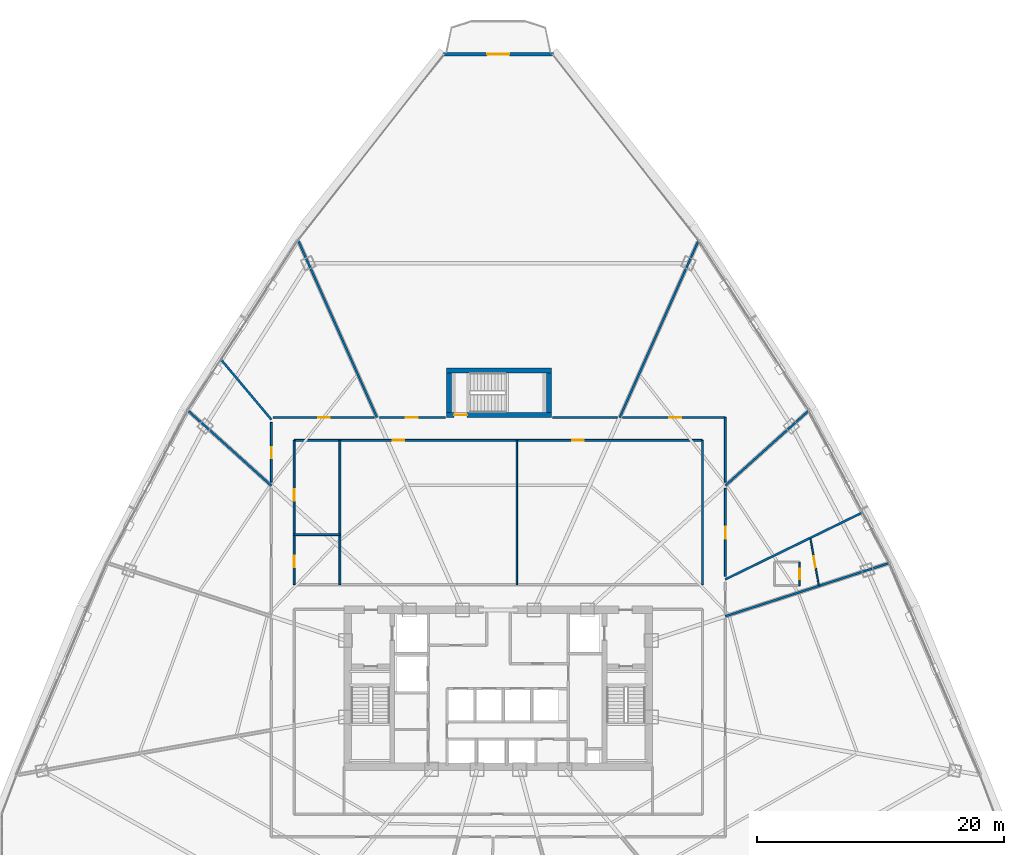
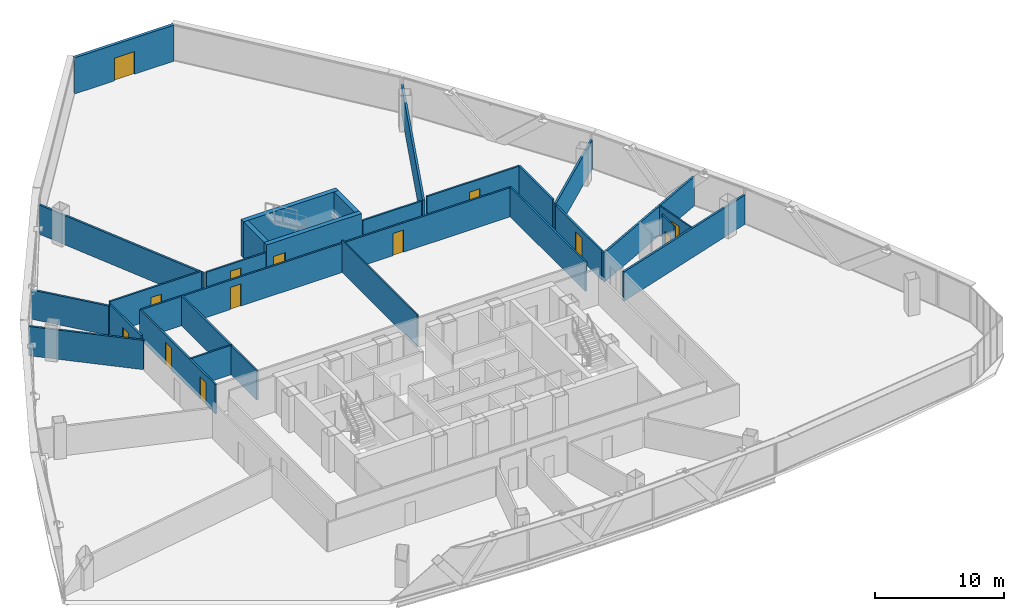
# One storey, part 37 of 42: 27 walls, 13 doors, 13 openings.
"""IFC4 building model written with IfcOpenShell, lengths in metres."""

from ifc_helpers import new_model, si_unit, direction, frame, frame_2d, origin, origin_with_axes, place, context, subcontext, project, spatial, rectangle, extrude, source, transform, mapped, material, layer, layer_set, type_object, element, fill, save


model = new_model("IFC4")

# Units and contexts
model_context = context("Model", 3, precision=1e-05, world=origin(), true_north=direction((0.0, 1.0)))
body_context = subcontext(model_context, "Body", "Model", "MODEL_VIEW")
ifc_project = project(units=[si_unit("LENGTHUNIT", "METRE"), si_unit("AREAUNIT", "SQUARE_METRE"), si_unit("VOLUMEUNIT", "CUBIC_METRE"), si_unit("PLANEANGLEUNIT", "RADIAN"), si_unit("MASSUNIT", "GRAM", prefix="KILO"), si_unit("THERMODYNAMICTEMPERATUREUNIT", "KELVIN"), si_unit("POWERUNIT", "WATT")], contexts=[model_context])

# Site, building, storey
site_placement = place(None, origin())
site = spatial("IfcSite", under=ifc_project, at=site_placement, CompositionType="ELEMENT")
building_placement = place(site_placement, origin())
building = spatial("IfcBuilding", under=site, at=building_placement, Name="Yunzhuo Pagoda Commons", CompositionType="ELEMENT")
storey_placement = place(building_placement, frame((0.0, 0.0, 137.18994140625)))
storey = spatial("IfcBuildingStorey", under=building, at=storey_placement, Name="L34", CompositionType="ELEMENT", Elevation=137.18994140625)

# Wall, opening, door
ifc_material_1 = material(Name="Precast concrete C40", Category="concrete")
ifc_layer_1 = layer(ifc_material_1, 0.260009765625)
ifc_layer_set_1 = layer_set([ifc_layer_1], Name="Precast concrete C40")
wall_type_1 = type_object("IfcWallType", Name="W-BAL1 Corner Balcony Threshold Wall 260", PredefinedType="STANDARD", material=ifc_layer_set_1)
wall_1_placement = place(storey_placement, frame((52.451416015625, 85.243408203125, 0.0), z_axis=(0.0, 0.0, 1.0), x_axis=(-1.0, 0.0, 0.0)))
wall_1 = element("IfcWall", 1, at=wall_1_placement, inside=storey, type_object=wall_type_1, Name="L34 corner balcony wall V3", PredefinedType="STANDARD", context=body_context, shape_type="SweptSolid", body=[
    extrude(rectangle(XDim=8.90283203125, YDim=0.260009765625, at=frame_2d((4.451416015625, 0.0))), origin(), (0.0, 0.0, 1.0), 3.420166015625),
])
opening_1_placement = place(wall_1_placement, frame((3.55126953125, 0.0, 0.0)))
opening_1 = element("IfcOpeningElement", 2, at=opening_1_placement, cuts=wall_1, Name="Opening D-BAL1", PredefinedType="OPENING", context=body_context, shape_type="SweptSolid", body=[
    extrude(rectangle(XDim=1.800048828125, YDim=2.14990234375, at=frame_2d((0.89990234375, 1.074951171875))), frame((0.0, 0.14013671875, 0.0), z_axis=(0.0, -1.0, 0.0), x_axis=(1.0, 0.0, 0.0)), (0.0, 0.0, 1.0), 0.280029296875),
])
ifc_material_2 = material(Name="Anodized aluminium frame and tempered glazed leaf", Category="aluminium")
door_type_1 = type_object("IfcDoorType", Name="D-BAL1 Corner Balcony Sliding Glazed Door 1800x2150", OperationType="DOUBLE_DOOR_SLIDING", PredefinedType="DOOR", material=ifc_material_2)
shared_shape_1 = source(origin(), body_context, "Body", "SweptSolid", [
    extrude(rectangle(XDim=1.800048828125, YDim=2.14990234375, at=frame_2d((0.89990234375, 1.074951171875))), frame((0.0, 0.02490234375, 0.0), z_axis=(0.0, -1.0, 0.0), x_axis=(1.0, 0.0, 0.0)), (0.0, 0.0, 1.0), 0.050048828125),
])
door_1_placement = place(opening_1_placement, origin_with_axes())
door_1 = element("IfcDoor", 3, at=door_1_placement, inside=storey, type_object=door_type_1, Name="L34 corner balcony sliding door V3", OperationType="DOUBLE_DOOR_SLIDING", OverallHeight=2.14990234375, OverallWidth=1.800048828125, PredefinedType="DOOR", context=body_context, shape_type="MappedRepresentation", body=[
    mapped(shared_shape_1, transform((0.0, 0.0, 0.0), scale=1.0)),
])
fill(opening_1, door_1)

# Wall, openings, doors
ifc_material_3 = material(Name="Gypsum plasterboard on acoustic stud")
ifc_layer_2 = layer(ifc_material_3, 0.155029296875)
ifc_layer_set_2 = layer_set([ifc_layer_2], Name="Gypsum plasterboard on acoustic stud")
wall_type_2 = type_object("IfcWallType", Name="W-COR2 Mid-Zone Rated Corridor Wall 155", PredefinedType="PARTITIONING", material=ifc_layer_set_2)
wall_2_placement = place(storey_placement, frame((31.449951171875, 53.949951171875, 0.0), z_axis=(0.0, 0.0, 1.0), x_axis=(1.0, 0.0, 0.0)))
wall_2 = element("IfcWall", 4, at=wall_2_placement, inside=storey, type_object=wall_type_2, Name="L34 interior wall IW-L34-MCNN", PredefinedType="PARTITIONING", context=body_context, shape_type="SweptSolid", body=[
    extrude(rectangle(XDim=33.10009765625, YDim=0.155029296875, at=frame_2d((16.550048828125, 0.0))), origin(), (0.0, 0.0, 1.0), 2.77001953125),
])
opening_2_placement = place(wall_2_placement, frame((8.0, 0.0, 0.0)))
opening_2 = element("IfcOpeningElement", 5, at=opening_2_placement, cuts=wall_2, Name="Opening D-04", PredefinedType="OPENING", context=body_context, shape_type="SweptSolid", body=[
    extrude(rectangle(XDim=0.919921875, YDim=2.10009765625, at=frame_2d((0.4599609375, 1.050048828125))), frame((0.0, 0.08740234375, 0.0), z_axis=(0.0, -1.0, 0.0), x_axis=(1.0, 0.0, 0.0)), (0.0, 0.0, 1.0), 0.175048828125),
])
opening_3_placement = place(wall_2_placement, frame((22.550048828125, 0.0, 0.0)))
opening_3 = element("IfcOpeningElement", 6, at=opening_3_placement, cuts=wall_2, Name="Opening D-04", PredefinedType="OPENING", context=body_context, shape_type="SweptSolid", body=[
    extrude(rectangle(XDim=0.919921875, YDim=2.10009765625, at=frame_2d((0.4599609375, 1.050048828125))), frame((0.0, 0.08740234375, 0.0), z_axis=(0.0, -1.0, 0.0), x_axis=(1.0, 0.0, 0.0)), (0.0, 0.0, 1.0), 0.175048828125),
])
ifc_material_4 = material(Name="Powder-coated aluminium and timber acoustic leaf", Category="wood")
door_type_2 = type_object("IfcDoorType", Name="D-04 Bedroom & Study Interior Door 920x2100", OperationType="NOTDEFINED", PredefinedType="DOOR", material=ifc_material_4)
shared_shape_2 = source(origin(), body_context, "Body", "SweptSolid", [
    extrude(rectangle(XDim=0.919921875, YDim=2.10009765625, at=frame_2d((0.4599609375, 1.050048828125))), frame((0.0, 0.02490234375, 0.0), z_axis=(0.0, -1.0, 0.0), x_axis=(1.0, 0.0, 0.0)), (0.0, 0.0, 1.0), 0.050048828125),
])
door_2_placement = place(opening_2_placement, origin_with_axes())
door_2 = element("IfcDoor", 7, at=door_2_placement, inside=storey, type_object=door_type_2, Name="L34 reading commons door", OperationType="SINGLE_SWING_LEFT", OverallHeight=2.10009765625, OverallWidth=0.919921875, PredefinedType="DOOR", context=body_context, shape_type="MappedRepresentation", body=[
    mapped(shared_shape_2, transform((0.0, 0.0, 0.0), scale=1.0)),
])
fill(opening_2, door_2)
door_3_placement = place(opening_3_placement, origin_with_axes())
door_3 = element("IfcDoor", 8, at=door_3_placement, inside=storey, type_object=door_type_2, Name="L34 seminar commons door", OperationType="SINGLE_SWING_RIGHT", OverallHeight=2.10009765625, OverallWidth=0.919921875, PredefinedType="DOOR", context=body_context, shape_type="MappedRepresentation", body=[
    mapped(shared_shape_2, transform((0.0, 0.0, 0.0), scale=1.0)),
])
fill(opening_3, door_3)

wall_3_placement = place(storey_placement, frame((31.449951171875, 42.25, 0.0), z_axis=(0.0, 0.0, 1.0), x_axis=(0.0, 1.0, 0.0)))
wall_3 = element("IfcWall", 9, at=wall_3_placement, inside=storey, type_object=wall_type_2, Name="L34 interior wall IW-L34-MCNW", PredefinedType="PARTITIONING", context=body_context, shape_type="SweptSolid", body=[
    extrude(rectangle(XDim=11.699951171875, YDim=0.155029296875, at=frame_2d((5.85009765625, 0.0))), origin(), (0.0, 0.0, 1.0), 2.77001953125),
])
opening_4_placement = place(wall_3_placement, frame((1.39990234375, 0.0, 0.0)))
opening_4 = element("IfcOpeningElement", 10, at=opening_4_placement, cuts=wall_3, Name="Opening D-11", PredefinedType="OPENING", context=body_context, shape_type="SweptSolid", body=[
    extrude(rectangle(XDim=0.93994140625, YDim=2.10009765625, at=frame_2d((0.469970703125, 1.050048828125))), frame((0.0, 0.08740234375, 0.0), z_axis=(0.0, -1.0, 0.0), x_axis=(1.0, 0.0, 0.0)), (0.0, 0.0, 1.0), 0.175048828125),
])
opening_5_placement = place(wall_3_placement, frame((6.800048828125, 0.0, 0.0)))
opening_5 = element("IfcOpeningElement", 11, at=opening_5_placement, cuts=wall_3, Name="Opening D-04", PredefinedType="OPENING", context=body_context, shape_type="SweptSolid", body=[
    extrude(rectangle(XDim=0.919921875, YDim=2.10009765625, at=frame_2d((0.4599609375, 1.050048828125))), frame((0.0, 0.08740234375, 0.0), z_axis=(0.0, -1.0, 0.0), x_axis=(1.0, 0.0, 0.0)), (0.0, 0.0, 1.0), 0.175048828125),
])
ifc_material_5 = material(Name="Galvanized fire-resisting metal leaf")
door_type_3 = type_object("IfcDoorType", Name="D-11 Accessible Washroom Fire Door 940x2100", OperationType="NOTDEFINED", PredefinedType="DOOR", material=ifc_material_5)
shared_shape_3 = source(origin(), body_context, "Body", "SweptSolid", [
    extrude(rectangle(XDim=0.93994140625, YDim=2.10009765625, at=frame_2d((0.469970703125, 1.050048828125))), frame((0.0, 0.02490234375, 0.0), z_axis=(0.0, -1.0, 0.0), x_axis=(1.0, 0.0, 0.0)), (0.0, 0.0, 1.0), 0.050048828125),
])
door_4_placement = place(opening_4_placement, origin_with_axes())
door_4 = element("IfcDoor", 12, at=door_4_placement, inside=storey, type_object=door_type_3, Name="L34 accessible WC door", OperationType="SINGLE_SWING_LEFT", OverallHeight=2.10009765625, OverallWidth=0.93994140625, PredefinedType="DOOR", context=body_context, shape_type="MappedRepresentation", body=[
    mapped(shared_shape_3, transform((0.0, 0.0, 0.0), scale=1.0)),
])
fill(opening_4, door_4)
door_5_placement = place(opening_5_placement, origin_with_axes())
door_5 = element("IfcDoor", 13, at=door_5_placement, inside=storey, type_object=door_type_2, Name="L34 laundry door", OperationType="SINGLE_SWING_RIGHT", OverallHeight=2.10009765625, OverallWidth=0.919921875, PredefinedType="DOOR", context=body_context, shape_type="MappedRepresentation", body=[
    mapped(shared_shape_2, transform((0.0, 0.0, 0.0), scale=1.0)),
])
fill(opening_5, door_5)

# Walls
for number, where, z_axis, x_axis, name in (
    (14, (64.550048828125, 42.25, 0.0), (0.0, 0.0, 1.0), (0.0, 1.0, 0.0), "L34 interior wall IW-L34-MCNE"),
    (15, (35.14990234375, 42.25, 0.0), (0.0, 0.0, 1.0), (0.0, 1.0, 0.0), "L34 interior wall IW-L34-MCWCE"),
):
    element("IfcWall", number, at=place(storey_placement, frame(where, z_axis=z_axis, x_axis=x_axis)), inside=storey, type_object=wall_type_2, Name=name, PredefinedType="PARTITIONING", context=body_context, shape_type="SweptSolid", body=[
        extrude(rectangle(XDim=11.699951171875, YDim=0.155029296875, at=frame_2d((5.85009765625, 0.0))), origin(), (0.0, 0.0, 1.0), 2.77001953125),
    ])
wall_4_placement = place(storey_placement, frame((31.449951171875, 46.300048828125, 0.0), z_axis=(0.0, 0.0, 1.0), x_axis=(1.0, 0.0, 0.0)))
element("IfcWall", 16, at=wall_4_placement, inside=storey, type_object=wall_type_2, Name="L34 interior wall IW-L34-MCWCN", PredefinedType="PARTITIONING", context=body_context, shape_type="SweptSolid", body=[
    extrude(rectangle(XDim=3.699951171875, YDim=0.155029296875, at=frame_2d((1.85009765625, 0.0))), origin(), (0.0, 0.0, 1.0), 2.77001953125),
])

# Wall, opening, door
wall_5_placement = place(storey_placement, frame((29.60009765625, 50.5634765625, 0.0), z_axis=(0.0, 0.0, 1.0), x_axis=(0.0, 1.0, 0.0)))
wall_5 = element("IfcWall", 17, at=wall_5_placement, inside=storey, type_object=wall_type_2, Name="L34 interior wall IW-L34-CWL04", PredefinedType="PARTITIONING", context=body_context, shape_type="SweptSolid", body=[
    extrude(rectangle(XDim=4.844970703125, YDim=0.155029296875, at=frame_2d((2.42236328125, 0.0))), origin(), (0.0, 0.0, 1.0), 3.02001953125),
])
opening_6_placement = place(wall_5_placement, frame((1.924560546875, 0.0, 0.0)))
opening_6 = element("IfcOpeningElement", 18, at=opening_6_placement, cuts=wall_5, Name="Opening D-12", PredefinedType="OPENING", context=body_context, shape_type="SweptSolid", body=[
    extrude(rectangle(XDim=0.89990234375, YDim=2.080078125, at=frame_2d((0.449951171875, 1.0400390625))), frame((0.0, 0.08740234375, 0.0), z_axis=(0.0, -1.0, 0.0), x_axis=(1.0, 0.0, 0.0)), (0.0, 0.0, 1.0), 0.175048828125),
])
door_type_4 = type_object("IfcDoorType", Name="D-12 Quiet Study Interior Door 900x2080", OperationType="NOTDEFINED", PredefinedType="DOOR", material=ifc_material_4)
shared_shape_4 = source(origin(), body_context, "Body", "SweptSolid", [
    extrude(rectangle(XDim=0.89990234375, YDim=2.080078125, at=frame_2d((0.449951171875, 1.0400390625))), frame((0.0, 0.02490234375, 0.0), z_axis=(0.0, -1.0, 0.0), x_axis=(1.0, 0.0, 0.0)), (0.0, 0.0, 1.0), 0.050048828125),
])
door_6_placement = place(opening_6_placement, origin_with_axes())
door_6 = element("IfcDoor", 19, at=door_6_placement, inside=storey, type_object=door_type_4, Name="L34 study lounge 06 door", OperationType="SINGLE_SWING_RIGHT", OverallHeight=2.080078125, OverallWidth=0.89990234375, PredefinedType="DOOR", context=body_context, shape_type="MappedRepresentation", body=[
    mapped(shared_shape_4, transform((0.0, 0.0, 0.0), scale=1.0)),
])
fill(opening_6, door_6)

wall_6_placement = place(storey_placement, frame((29.7431640625, 55.800048828125, 0.0), z_axis=(0.0, 0.0, 1.0), x_axis=(1.0, 0.0, 0.0)))
wall_6 = element("IfcWall", 20, at=wall_6_placement, inside=storey, type_object=wall_type_2, Name="L34 interior wall IW-L34-CWL05", PredefinedType="PARTITIONING", context=body_context, shape_type="SweptSolid", body=[
    extrude(rectangle(XDim=8.176513671875, YDim=0.155029296875, at=frame_2d((4.08837890625, 0.0))), origin(), (0.0, 0.0, 1.0), 3.02001953125),
])
opening_7_placement = place(wall_6_placement, frame((3.6455078125, 0.0, 0.0)))
opening_7 = element("IfcOpeningElement", 21, at=opening_7_placement, cuts=wall_6, Name="Opening D-07", PredefinedType="OPENING", context=body_context, shape_type="SweptSolid", body=[
    extrude(rectangle(XDim=0.9599609375, YDim=2.1201171875, at=frame_2d((0.47998046875, 1.06005859375))), frame((0.0, 0.08740234375, 0.0), z_axis=(0.0, -1.0, 0.0), x_axis=(1.0, 0.0, 0.0)), (0.0, 0.0, 1.0), 0.175048828125),
])
door_type_5 = type_object("IfcDoorType", Name="D-07 Mid-Zone Suite Entrance Fire Door 960x2120", OperationType="NOTDEFINED", PredefinedType="DOOR", material=ifc_material_5)
shared_shape_5 = source(origin(), body_context, "Body", "SweptSolid", [
    extrude(rectangle(XDim=0.9599609375, YDim=2.1201171875, at=frame_2d((0.47998046875, 1.06005859375))), frame((0.0, 0.02490234375, 0.0), z_axis=(0.0, -1.0, 0.0), x_axis=(1.0, 0.0, 0.0)), (0.0, 0.0, 1.0), 0.050048828125),
])
door_7_placement = place(opening_7_placement, origin_with_axes())
door_7 = element("IfcDoor", 22, at=door_7_placement, inside=storey, type_object=door_type_5, Name="L34 unit 05 entrance door", OperationType="SINGLE_SWING_LEFT", OverallHeight=2.1201171875, OverallWidth=0.9599609375, PredefinedType="DOOR", context=body_context, shape_type="MappedRepresentation", body=[
    mapped(shared_shape_5, transform((0.0, 0.0, 0.0), scale=1.0)),
])
fill(opening_7, door_7)

wall_7_placement = place(storey_placement, frame((38.380126953125, 55.800048828125, 0.0), z_axis=(0.0, 0.0, 1.0), x_axis=(1.0, 0.0, 0.0)))
wall_7 = element("IfcWall", 23, at=wall_7_placement, inside=storey, type_object=wall_type_2, Name="L34 interior wall IW-L34-CWL06", PredefinedType="PARTITIONING", context=body_context, shape_type="SweptSolid", body=[
    extrude(rectangle(XDim=5.328857421875, YDim=0.155029296875, at=frame_2d((2.66455078125, 0.0))), origin(), (0.0, 0.0, 1.0), 2.77001953125),
])
opening_8_placement = place(wall_7_placement, frame((2.114990234375, 0.0, 0.0)))
opening_8 = element("IfcOpeningElement", 24, at=opening_8_placement, cuts=wall_7, Name="Opening D-07", PredefinedType="OPENING", context=body_context, shape_type="SweptSolid", body=[
    extrude(rectangle(XDim=0.9599609375, YDim=2.1201171875, at=frame_2d((0.47998046875, 1.06005859375))), frame((0.0, 0.08740234375, 0.0), z_axis=(0.0, -1.0, 0.0), x_axis=(1.0, 0.0, 0.0)), (0.0, 0.0, 1.0), 0.175048828125),
])
door_8_placement = place(opening_8_placement, origin_with_axes())
door_8 = element("IfcDoor", 25, at=door_8_placement, inside=storey, type_object=door_type_5, Name="L34 unit 04 entrance door", OperationType="SINGLE_SWING_RIGHT", OverallHeight=2.1201171875, OverallWidth=0.9599609375, PredefinedType="DOOR", context=body_context, shape_type="MappedRepresentation", body=[
    mapped(shared_shape_5, transform((0.0, 0.0, 0.0), scale=1.0)),
])
fill(opening_8, door_8)

# Wall
wall_8_placement = place(storey_placement, frame((52.39111328125, 55.800048828125, 0.0), z_axis=(0.0, 0.0, 1.0), x_axis=(1.0, 0.0, 0.0)))
element("IfcWall", 26, at=wall_8_placement, inside=storey, type_object=wall_type_2, Name="L34 interior wall IW-L34-CWL07", PredefinedType="PARTITIONING", context=body_context, shape_type="SweptSolid", body=[
    extrude(rectangle(XDim=5.228759765625, YDim=0.155029296875, at=frame_2d((2.6142578125, 0.0))), origin(), (0.0, 0.0, 1.0), 2.77001953125),
])

# Wall, opening, door
wall_9_placement = place(storey_placement, frame((58.080322265625, 55.800048828125, 0.0), z_axis=(0.0, 0.0, 1.0), x_axis=(1.0, 0.0, 0.0)))
wall_9 = element("IfcWall", 27, at=wall_9_placement, inside=storey, type_object=wall_type_2, Name="L34 interior wall IW-L34-CWL08", PredefinedType="PARTITIONING", context=body_context, shape_type="SweptSolid", body=[
    extrude(rectangle(XDim=8.319580078125, YDim=0.155029296875, at=frame_2d((4.15966796875, 0.0))), origin(), (0.0, 0.0, 1.0), 3.02001953125),
])
opening_9_placement = place(wall_9_placement, frame((3.79443359375, 0.0, 0.0)))
opening_9 = element("IfcOpeningElement", 28, at=opening_9_placement, cuts=wall_9, Name="Opening D-07", PredefinedType="OPENING", context=body_context, shape_type="SweptSolid", body=[
    extrude(rectangle(XDim=0.9599609375, YDim=2.1201171875, at=frame_2d((0.47998046875, 1.06005859375))), frame((0.0, 0.08740234375, 0.0), z_axis=(0.0, -1.0, 0.0), x_axis=(1.0, 0.0, 0.0)), (0.0, 0.0, 1.0), 0.175048828125),
])
door_9_placement = place(opening_9_placement, origin_with_axes())
door_9 = element("IfcDoor", 29, at=door_9_placement, inside=storey, type_object=door_type_5, Name="L34 unit 03 entrance door", OperationType="SINGLE_SWING_LEFT", OverallHeight=2.1201171875, OverallWidth=0.9599609375, PredefinedType="DOOR", context=body_context, shape_type="MappedRepresentation", body=[
    mapped(shared_shape_5, transform((0.0, 0.0, 0.0), scale=1.0)),
])
fill(opening_9, door_9)

# Wall
wall_10_placement = place(storey_placement, frame((66.39990234375, 55.800048828125, 0.0), z_axis=(0.0, 0.0, 1.0), x_axis=(0.0, -1.0, 0.0)))
element("IfcWall", 30, at=wall_10_placement, inside=storey, type_object=wall_type_2, Name="L34 interior wall IW-L34-CWL09", PredefinedType="PARTITIONING", context=body_context, shape_type="SweptSolid", body=[
    extrude(rectangle(XDim=5.236572265625, YDim=0.155029296875, at=frame_2d((2.6181640625, 0.0))), origin(), (0.0, 0.0, 1.0), 3.02001953125),
])

# Wall, opening, door
wall_11_placement = place(storey_placement, frame((66.39990234375, 50.047607421875, 0.0), z_axis=(0.0, 0.0, 1.0), x_axis=(0.0, -1.0, 0.0)))
wall_11 = element("IfcWall", 31, at=wall_11_placement, inside=storey, type_object=wall_type_2, Name="L34 interior wall IW-L34-CWL10", PredefinedType="PARTITIONING", context=body_context, shape_type="SweptSolid", body=[
    extrude(rectangle(XDim=7.12841796875, YDim=0.155029296875, at=frame_2d((3.564208984375, 0.0))), origin(), (0.0, 0.0, 1.0), 2.77001953125),
])
opening_10_placement = place(wall_11_placement, frame((3.101806640625, 0.0, 0.0)))
opening_10 = element("IfcOpeningElement", 32, at=opening_10_placement, cuts=wall_11, Name="Opening D-07", PredefinedType="OPENING", context=body_context, shape_type="SweptSolid", body=[
    extrude(rectangle(XDim=0.9599609375, YDim=2.1201171875, at=frame_2d((0.47998046875, 1.06005859375))), frame((0.0, 0.08740234375, 0.0), z_axis=(0.0, -1.0, 0.0), x_axis=(1.0, 0.0, 0.0)), (0.0, 0.0, 1.0), 0.175048828125),
])
door_10_placement = place(opening_10_placement, origin_with_axes())
door_10 = element("IfcDoor", 33, at=door_10_placement, inside=storey, type_object=door_type_5, Name="L34 unit 02 entrance door", OperationType="SINGLE_SWING_RIGHT", OverallHeight=2.1201171875, OverallWidth=0.9599609375, PredefinedType="DOOR", context=body_context, shape_type="MappedRepresentation", body=[
    mapped(shared_shape_5, transform((0.0, 0.0, 0.0), scale=1.0)),
])
fill(opening_10, door_10)

# Wall
ifc_layer_3 = layer(ifc_material_3, 0.1201171875)
ifc_layer_set_3 = layer_set([ifc_layer_3], Name="Gypsum plasterboard on acoustic stud")
wall_type_3 = type_object("IfcWallType", Name="W-PRT1 Suite & Bathroom Partition 120", PredefinedType="PARTITIONING", material=ifc_layer_set_3)
wall_12_placement = place(storey_placement, frame((49.5, 42.25, 0.0), z_axis=(0.0, 0.0, 1.0), x_axis=(0.0, 1.0, 0.0)))
element("IfcWall", 34, at=wall_12_placement, inside=storey, type_object=wall_type_3, Name="L34 interior wall IW-L34-MCDIV", PredefinedType="PARTITIONING", context=body_context, shape_type="SweptSolid", body=[
    extrude(rectangle(XDim=11.699951171875, YDim=0.1201171875, at=frame_2d((5.85009765625, 0.0))), origin(), (0.0, 0.0, 1.0), 3.02001953125),
])

# Wall, opening, door
wall_13_placement = place(storey_placement, frame((72.43310546875, 42.1708984375, 0.0), z_axis=(0.0, 0.0, 1.0), x_axis=(0.0, 1.0, 0.0)))
wall_13 = element("IfcWall", 35, at=wall_13_placement, inside=storey, type_object=wall_type_3, Name="L34 interior wall IW-L34-B01E", PredefinedType="PARTITIONING", context=body_context, shape_type="SweptSolid", body=[
    extrude(rectangle(XDim=1.900146484375, YDim=0.1201171875, at=frame_2d((0.9501953125, 0.0))), origin(), (0.0, 0.0, 1.0), 3.420166015625),
])
opening_11_placement = place(wall_13_placement, frame((0.52490234375, 0.0, 0.0)))
opening_11 = element("IfcOpeningElement", 36, at=opening_11_placement, cuts=wall_13, Name="Opening D-05", PredefinedType="OPENING", context=body_context, shape_type="SweptSolid", body=[
    extrude(rectangle(XDim=0.85009765625, YDim=2.10009765625, at=frame_2d((0.425048828125, 1.050048828125))), frame((0.0, 0.070068359375, 0.0), z_axis=(0.0, -1.0, 0.0), x_axis=(1.0, 0.0, 0.0)), (0.0, 0.0, 1.0), 0.14013671875),
])
door_type_6 = type_object("IfcDoorType", Name="D-05 En-Suite Bathroom Door 850x2100", OperationType="NOTDEFINED", PredefinedType="DOOR", material=ifc_material_4)
shared_shape_6 = source(origin(), body_context, "Body", "SweptSolid", [
    extrude(rectangle(XDim=0.85009765625, YDim=2.10009765625, at=frame_2d((0.425048828125, 1.050048828125))), frame((0.0, 0.02490234375, 0.0), z_axis=(0.0, -1.0, 0.0), x_axis=(1.0, 0.0, 0.0)), (0.0, 0.0, 1.0), 0.050048828125),
])
door_11_placement = place(opening_11_placement, frame((0.85009765625, 0.0, 0.0), z_axis=(0.0, 0.0, 1.0), x_axis=(-1.0, 0.0, 0.0)))
door_11 = element("IfcDoor", 37, at=door_11_placement, inside=storey, type_object=door_type_6, Name="L34 unit 01 bathroom door", OperationType="SINGLE_SWING_LEFT", OverallHeight=2.10009765625, OverallWidth=0.85009765625, PredefinedType="DOOR", context=body_context, shape_type="MappedRepresentation", body=[
    mapped(shared_shape_6, transform((0.0, 0.0, 0.0), scale=1.0)),
])
fill(opening_11, door_11)

wall_14_placement = place(storey_placement, frame((73.977294921875, 42.20361328125, 0.0), z_axis=(0.0, 0.0, 1.0), x_axis=(-0.175839166685, 0.984418908524, 0.0)))
wall_14 = element("IfcWall", 38, at=wall_14_placement, inside=storey, type_object=wall_type_3, Name="L34 interior wall IW-L34-CLB01", PredefinedType="PARTITIONING", context=body_context, shape_type="SweptSolid", body=[
    extrude(rectangle(XDim=3.83056640625, YDim=0.1201171875, at=frame_2d((1.915283203125, 0.0))), origin(), (0.0, 0.0, 1.0), 2.77001953125),
])
opening_12_placement = place(wall_14_placement, frame((1.455322265625, 0.0, 0.0)))
opening_12 = element("IfcOpeningElement", 39, at=opening_12_placement, cuts=wall_14, Name="Opening D-04", PredefinedType="OPENING", context=body_context, shape_type="SweptSolid", body=[
    extrude(rectangle(XDim=0.919921875, YDim=2.10009765625, at=frame_2d((0.4599609375, 1.050048828125))), frame((0.0, 0.070068359375, 0.0), z_axis=(0.0, -1.0, 0.0), x_axis=(1.0, 0.0, 0.0)), (0.0, 0.0, 1.0), 0.14013671875),
])
door_12_placement = place(opening_12_placement, origin_with_axes())
door_12 = element("IfcDoor", 40, at=door_12_placement, inside=storey, type_object=door_type_2, Name="L34 suite 01 bedroom door", OperationType="SINGLE_SWING_LEFT", OverallHeight=2.10009765625, OverallWidth=0.919921875, PredefinedType="DOOR", context=body_context, shape_type="MappedRepresentation", body=[
    mapped(shared_shape_2, transform((0.0, 0.0, 0.0), scale=1.0)),
])
fill(opening_12, door_12)

# Walls
ifc_layer_4 = layer(ifc_material_3, 0.175048828125)
ifc_layer_set_4 = layer_set([ifc_layer_4], Name="Gypsum plasterboard on acoustic stud")
wall_type_4 = type_object("IfcWallType", Name="W-PRT3 Mid-Zone Demising Wall 175", PredefinedType="PARTITIONING", material=ifc_layer_set_4)
wall_15_placement = place(storey_placement, frame((66.39990234375, 39.678466796875, 0.0), z_axis=(0.0, 0.0, 1.0), x_axis=(0.95105622709, 0.309017884457, 0.0)))
element("IfcWall", 41, at=wall_15_placement, inside=storey, type_object=wall_type_4, Name="L34 interior wall IW-L34-RAD01", PredefinedType="PARTITIONING", context=body_context, shape_type="SweptSolid", body=[
    extrude(rectangle(XDim=14.006103515625, YDim=0.175048828125, at=frame_2d((7.0029296875, 0.0))), origin(), (0.0, 0.0, 1.0), 2.77001953125),
])
wall_16_placement = place(storey_placement, frame((66.39990234375, 42.67431640625, 0.0), z_axis=(0.0, 0.0, 1.0), x_axis=(0.898797201523, 0.438364677563, 0.0)))
element("IfcWall", 42, at=wall_16_placement, inside=storey, type_object=wall_type_4, Name="L34 interior wall IW-L34-RAD02", PredefinedType="PARTITIONING", context=body_context, shape_type="SweptSolid", body=[
    extrude(rectangle(XDim=12.40185546875, YDim=0.175048828125, at=frame_2d((6.200927734375, 0.0))), origin(), (0.0, 0.0, 1.0), 2.77001953125),
])
wall_17_placement = place(storey_placement, frame((66.39990234375, 50.267333984375, 0.0), z_axis=(0.0, 0.0, 1.0), x_axis=(0.743139639416, 0.669136366018, 0.0)))
element("IfcWall", 43, at=wall_17_placement, inside=storey, type_object=wall_type_4, Name="L34 interior wall IW-L34-RAD03", PredefinedType="PARTITIONING", context=body_context, shape_type="SweptSolid", body=[
    extrude(rectangle(XDim=9.115234375, YDim=0.175048828125, at=frame_2d((4.5576171875, 0.0))), origin(), (0.0, 0.0, 1.0), 2.77001953125),
])
for number, where, z_axis, x_axis, name in (
    (44, (57.839599609375, 55.800048828125, 0.0), (0.0, 0.0, 1.0), (0.406729069032, 0.913548829787, 0.0), "L34 interior wall IW-L34-RAD04"),
    (45, (38.160400390625, 55.800048828125, 0.0), (0.0, 0.0, 1.0), (-0.406729069032, 0.913548829787, 0.0), "L34 interior wall IW-L34-RAD05"),
):
    element("IfcWall", number, at=place(storey_placement, frame(where, z_axis=z_axis, x_axis=x_axis)), inside=storey, type_object=wall_type_4, Name=name, PredefinedType="PARTITIONING", context=body_context, shape_type="SweptSolid", body=[
        extrude(rectangle(XDim=15.72314453125, YDim=0.175048828125, at=frame_2d((7.861572265625, 0.0))), origin(), (0.0, 0.0, 1.0), 2.77001953125),
    ])
wall_18_placement = place(storey_placement, frame((29.60009765625, 55.62841796875, 0.0), z_axis=(0.0, 0.0, 1.0), x_axis=(-0.642790889975, 0.766041690618, 0.0)))
element("IfcWall", 46, at=wall_18_placement, inside=storey, type_object=wall_type_4, Name="L34 interior wall IW-L34-RAD06", PredefinedType="PARTITIONING", context=body_context, shape_type="SweptSolid", body=[
    extrude(rectangle(XDim=6.366455078125, YDim=0.175048828125, at=frame_2d((3.18310546875, 0.0))), origin(), (0.0, 0.0, 1.0), 2.77001953125),
])
wall_19_placement = place(storey_placement, frame((29.60009765625, 50.267333984375, 0.0), z_axis=(0.0, 0.0, 1.0), x_axis=(-0.743139639416, 0.669136366018, 0.0)))
element("IfcWall", 47, at=wall_19_placement, inside=storey, type_object=wall_type_4, Name="L34 interior wall IW-L34-RAD07", PredefinedType="PARTITIONING", context=body_context, shape_type="SweptSolid", body=[
    extrude(rectangle(XDim=9.115234375, YDim=0.175048828125, at=frame_2d((4.5576171875, 0.0))), origin(), (0.0, 0.0, 1.0), 2.77001953125),
])
ifc_material_6 = material(Name="Concrete C60", Category="concrete")
ifc_layer_5 = layer(ifc_material_6, 0.39990234375)
ifc_layer_set_5 = layer_set([ifc_layer_5], Name="Concrete C60")
wall_type_5 = type_object("IfcWallType", Name="W-S01 Internal Core Shear Web 400", PredefinedType="SHEAR", material=ifc_layer_set_5)
wall_20_placement = place(storey_placement, frame((43.800048828125, 59.60009765625, 0.0), z_axis=(0.0, 0.0, 1.0), x_axis=(1.0, 0.0, 0.0)))
element("IfcWall", 48, at=wall_20_placement, inside=storey, type_object=wall_type_5, Name="L34 ST3 structural stair wall N", PredefinedType="SHEAR", context=body_context, shape_type="SweptSolid", body=[
    extrude(rectangle(XDim=8.5, YDim=0.39990234375, at=frame_2d((4.25, 0.0))), origin(), (0.0, 0.0, 1.0), 3.420166015625),
])

# Wall, opening, door
wall_21_placement = place(storey_placement, frame((43.800048828125, 56.0, 0.0), z_axis=(0.0, 0.0, 1.0), x_axis=(1.0, 0.0, 0.0)))
wall_21 = element("IfcWall", 49, at=wall_21_placement, inside=storey, type_object=wall_type_5, Name="L34 ST3 structural stair wall S", PredefinedType="SHEAR", context=body_context, shape_type="SweptSolid", body=[
    extrude(rectangle(XDim=8.5, YDim=0.39990234375, at=frame_2d((4.25, 0.0))), origin(), (0.0, 0.0, 1.0), 3.420166015625),
])
opening_13_placement = place(wall_21_placement, frame((0.6201171875, 0.0, 0.0)))
opening_13 = element("IfcOpeningElement", 50, at=opening_13_placement, cuts=wall_21, Name="Opening D-01", PredefinedType="OPENING", context=body_context, shape_type="SweptSolid", body=[
    extrude(rectangle(XDim=1.050048828125, YDim=2.10009765625, at=frame_2d((0.52490234375, 1.050048828125))), frame((0.0, 0.2099609375, 0.0), z_axis=(0.0, -1.0, 0.0), x_axis=(1.0, 0.0, 0.0)), (0.0, 0.0, 1.0), 0.419921875),
])
door_type_7 = type_object("IfcDoorType", Name="D-01 Smokeproof Stair Fire Door 1050x2100", OperationType="NOTDEFINED", PredefinedType="DOOR", material=ifc_material_5)
shared_shape_7 = source(origin(), body_context, "Body", "SweptSolid", [
    extrude(rectangle(XDim=1.050048828125, YDim=2.10009765625, at=frame_2d((0.52490234375, 1.050048828125))), frame((0.0, 0.02490234375, 0.0), z_axis=(0.0, -1.0, 0.0), x_axis=(1.0, 0.0, 0.0)), (0.0, 0.0, 1.0), 0.050048828125),
])
door_13_placement = place(opening_13_placement, frame((1.050048828125, 0.0, 0.0), z_axis=(0.0, 0.0, 1.0), x_axis=(-1.0, 0.0, 0.0)))
door_13 = element("IfcDoor", 51, at=door_13_placement, inside=storey, type_object=door_type_7, Name="L34 Stair ST3 fire door", OperationType="SINGLE_SWING_LEFT", OverallHeight=2.10009765625, OverallWidth=1.050048828125, PredefinedType="DOOR", context=body_context, shape_type="MappedRepresentation", body=[
    mapped(shared_shape_7, transform((0.0, 0.0, 0.0), scale=1.0)),
])
fill(opening_13, door_13)

# Walls
for number, where, z_axis, x_axis, name in (
    (52, (44.0, 56.199951171875, 0.0), (0.0, 0.0, 1.0), (0.0, 1.0, 0.0), "L34 ST3 structural stair wall W"),
    (53, (52.10009765625, 56.199951171875, 0.0), (0.0, 0.0, 1.0), (0.0, 1.0, 0.0), "L34 ST3 structural stair wall E"),
):
    element("IfcWall", number, at=place(storey_placement, frame(where, z_axis=z_axis, x_axis=x_axis)), inside=storey, type_object=wall_type_5, Name=name, PredefinedType="SHEAR", context=body_context, shape_type="SweptSolid", body=[
        extrude(rectangle(XDim=3.199951171875, YDim=0.39990234375, at=frame_2d((1.60009765625, 0.0))), origin(), (0.0, 0.0, 1.0), 3.420166015625),
    ])

save(model, "model.ifc")
